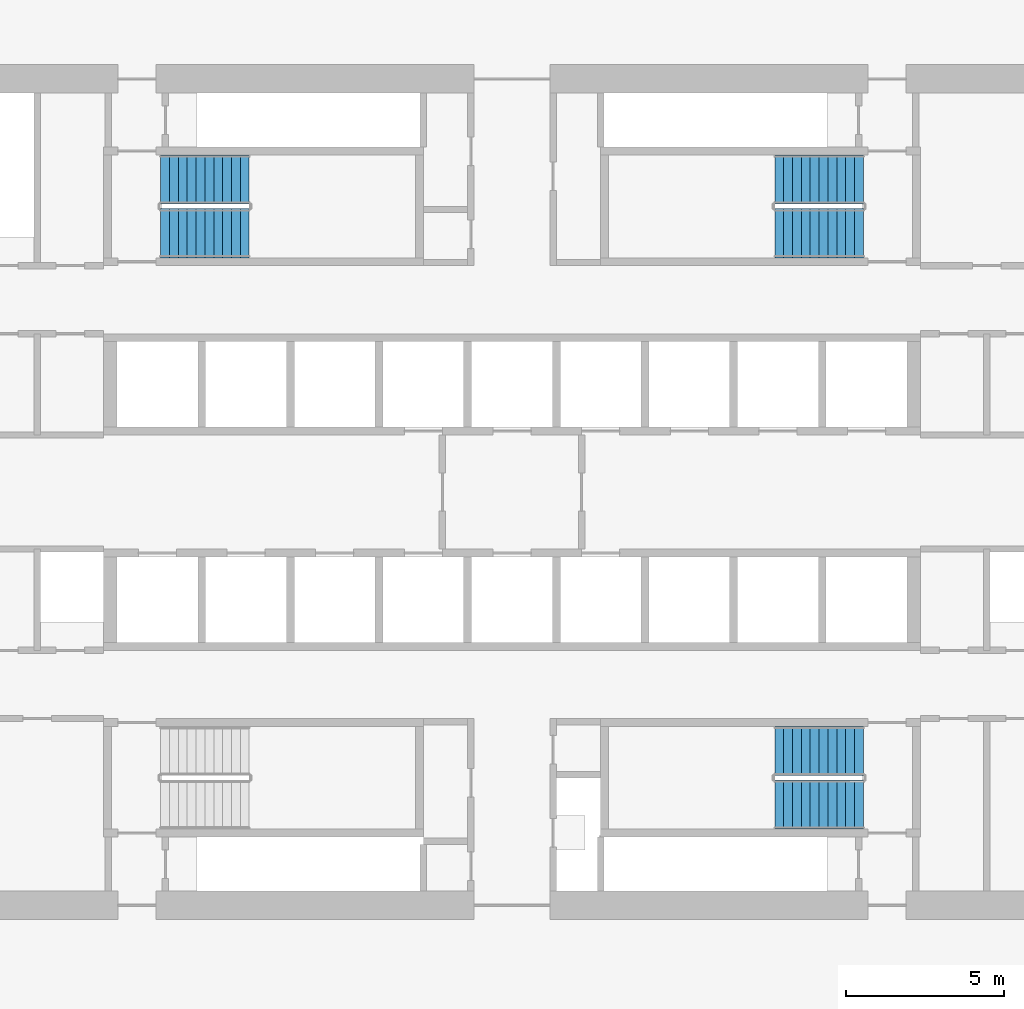
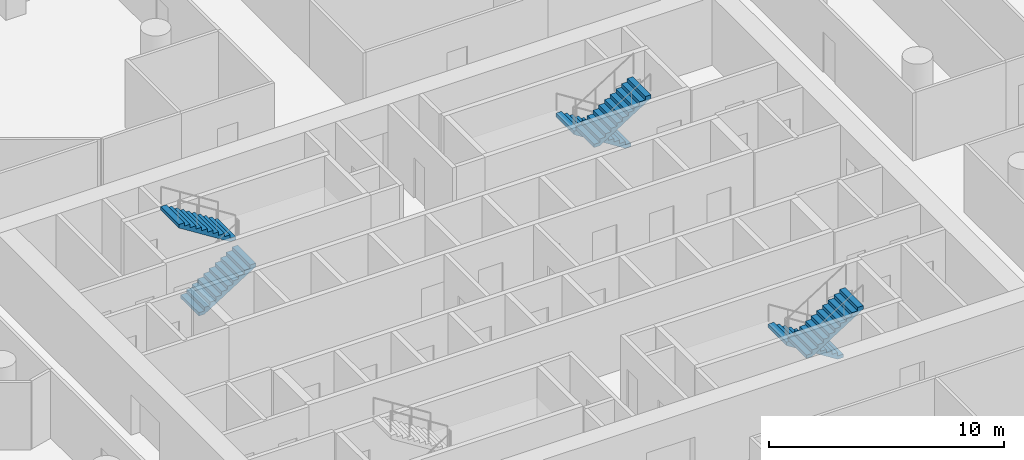
# One storey, part 9 of 10: 6 stair flights, 3 elements without a shape of their own.
"""IFC4 building model written with IfcOpenShell, lengths in metres."""

import ifcopenshell
import ifcopenshell.guid

model = None  # the IFC model being written
_history = None  # IfcOwnerHistory: only IFC2X3 demands one
_inside = {}  # id of a spatial element -> (the spatial element, [elements in it])
_under = {}  # id of a project, library or spatial element -> (it, [spatial elements below it])
_declared = {}  # id of a project -> (the project, [libraries it declares])
_typed = {}  # id of a type object -> (the type object, [elements of that type])
_made_of = {}  # id of a material, layer set ... -> (it, [elements and type objects made of it])


def new_model(schema):
    """Start an empty IFC model of exactly this schema.

    Asked for "IFC4X3", IfcOpenShell would pick the latest addendum, in which some entities
    have other attributes; the version numbers below select the first issue.
    IFC2X3 requires an IfcOwnerHistory on every rooted entity: one is made here for all.
    """
    global model, _history
    if schema == "IFC4X3":
        model = ifcopenshell.file(schema_version=(4, 3, 0, 0))
    else:
        model = ifcopenshell.file(schema=schema)
    _inside.clear()
    _under.clear()
    _declared.clear()
    _typed.clear()
    _made_of.clear()
    _history = None
    if model.schema == "IFC2X3":
        org = make("IfcOrganization", Name="unknown")
        user = make(
            "IfcPersonAndOrganization",
            ThePerson=make("IfcPerson", FamilyName="unknown"),
            TheOrganization=org,
        )
        app = make(
            "IfcApplication",
            ApplicationDeveloper=org,
            Version="unknown",
            ApplicationFullName="unknown",
            ApplicationIdentifier="unknown",
        )
        _history = make(
            "IfcOwnerHistory",
            OwningUser=user,
            OwningApplication=app,
            ChangeAction="ADDED",
            CreationDate=0,
        )
    return model


def make(cls, **values):
    """One entity of the class cls with the attributes given. An attribute that is None is left unset."""
    return model.create_entity(
        cls, **{name: value for name, value in values.items() if value is not None}
    )


def rooted(cls, **values):
    """An entity with a GlobalId (a new one), such as an element, a storey or a relation."""
    return make(cls, GlobalId=ifcopenshell.guid.new(), OwnerHistory=_history, **values)


def si_unit(unit_type, name, prefix=None):
    """IfcSIUnit, for example si_unit("LENGTHUNIT", "METRE", prefix="MILLI")."""
    return make("IfcSIUnit", UnitType=unit_type, Prefix=prefix, Name=name)


def assignment(units):
    """IfcUnitAssignment: the units of a project."""
    return None if units is None else make("IfcUnitAssignment", Units=units)


def point(xyz):
    """IfcCartesianPoint."""
    return None if xyz is None else make("IfcCartesianPoint", Coordinates=xyz)


def direction(xyz):
    """IfcDirection."""
    return None if xyz is None else make("IfcDirection", DirectionRatios=xyz)


def frame(location, z_axis=None, x_axis=None):
    """IfcAxis2Placement3D, a coordinate frame: its origin and axes. An axis left out is left unset."""
    return make(
        "IfcAxis2Placement3D",
        Location=point(location),
        Axis=direction(z_axis),
        RefDirection=direction(x_axis),
    )


def origin():
    """The frame at (0, 0, 0) with its axes left unset."""
    return frame((0.0, 0.0, 0.0))


def place(relative_to, where):
    """IfcLocalPlacement: puts the frame where relative to a parent placement (None: the world)."""
    return make(
        "IfcLocalPlacement", PlacementRelTo=relative_to, RelativePlacement=where
    )


def context(
    kind, dimensions, precision=None, world=None, true_north=None, identifier=None
):
    """IfcGeometricRepresentationContext, for example the 3D "Model" context."""
    return make(
        "IfcGeometricRepresentationContext",
        ContextIdentifier=identifier,
        ContextType=kind,
        CoordinateSpaceDimension=dimensions,
        Precision=precision,
        WorldCoordinateSystem=world,
        TrueNorth=true_north,
    )


def subcontext(parent, identifier, kind, view, scale=None):
    """IfcGeometricRepresentationSubContext, for example "Body" below "Model"."""
    return make(
        "IfcGeometricRepresentationSubContext",
        ContextIdentifier=identifier,
        ContextType=kind,
        ParentContext=parent,
        TargetScale=scale,
        TargetView=view,
    )


def project(units=None, contexts=None):
    """IfcProject with its units and contexts."""
    return rooted(
        "IfcProject",
        Name="project",
        RepresentationContexts=contexts,
        UnitsInContext=assignment(units),
    )


def spatial(cls, under=None, at=None, **own):
    """A site, building, storey or space (cls), placed at a placement, below another one or the project."""
    s = rooted(cls, ObjectPlacement=at, **own)
    if under is not None:
        _under.setdefault(under.id(), (under, []))[1].append(s)
    return s


def polyline(points):
    """IfcPolyline through the points."""
    return make("IfcPolyline", Points=[point(p) for p in points])


def outline(outer, holes=None, kind="AREA"):
    """IfcArbitraryClosedProfileDef: a profile drawn as a closed curve; with holes, ...WithVoids."""
    if holes is None:
        return make("IfcArbitraryClosedProfileDef", ProfileType=kind, OuterCurve=outer)
    return make(
        "IfcArbitraryProfileDefWithVoids",
        ProfileType=kind,
        OuterCurve=outer,
        InnerCurves=holes,
    )


def extrude(swept, where, along, depth):
    """IfcExtrudedAreaSolid: the profile swept, set in the frame where, extruded along a direction by depth."""
    return make(
        "IfcExtrudedAreaSolid",
        SweptArea=swept,
        Position=where,
        ExtrudedDirection=direction(along),
        Depth=depth,
    )


def shape(context_of_items, identifier, shape_type, items):
    """IfcShapeRepresentation: the items that make up one representation, for example the "Body"."""
    return make(
        "IfcShapeRepresentation",
        ContextOfItems=context_of_items,
        RepresentationIdentifier=identifier,
        RepresentationType=shape_type,
        Items=items,
    )


def material(Name=None, Category=None):
    """IfcMaterial."""
    return make("IfcMaterial", Name=Name, Category=Category)


def made_of(thing, what):
    """Note that an element or type object is made of a material, layer set ...; save() writes the relation."""
    if what is not None:
        _made_of.setdefault(what.id(), (what, []))[1].append(thing)
    return thing


def type_object(cls, material=None, **own):
    """A type object (cls), such as IfcWallType, which elements share."""
    return made_of(rooted(cls, **own), material)


def element(
    cls,
    number,
    at=None,
    inside=None,
    cuts=None,
    type_object=None,
    material=None,
    context=None,
    identifier="Body",
    shape_type=None,
    held_by="IfcProductDefinitionShape",
    body=None,
    shapes=None,
    **own,
):
    """One element of the class cls, such as IfcWall. Its Tag is "e" and its number.

    at: its placement. inside: the storey or other place that contains it. cuts: it is an
    opening in that element (IfcRelVoidsElement). A single representation is given by context,
    identifier, shape_type and body (its items); several are given by shapes. held_by: the class
    of the entity that holds the representations. save() writes the other relations.
    """
    e = rooted(cls, Tag="e%d" % number, ObjectPlacement=at, **own)
    if body is not None:
        shapes = [shape(context, identifier, shape_type, body)]
    if shapes is not None:
        e.Representation = make(held_by, Representations=shapes)
    if inside is not None:
        _inside.setdefault(inside.id(), (inside, []))[1].append(e)
    if cuts is not None:
        rooted(
            "IfcRelVoidsElement", RelatingBuildingElement=cuts, RelatedOpeningElement=e
        )
    if type_object is not None:
        _typed.setdefault(type_object.id(), (type_object, []))[1].append(e)
    return made_of(e, material)


def aggregate(whole, parts):
    """IfcRelAggregates: a whole, such as a stair, and the parts it consists of."""
    return rooted("IfcRelAggregates", RelatingObject=whole, RelatedObjects=parts)


def save(model, path):
    """Write the relations noted so far, then the file.

    IfcRelAggregates (storeys below a building ...), IfcRelContainedInSpatialStructure (elements
    in a storey), IfcRelDefinesByType, IfcRelAssociatesMaterial and IfcRelDeclares: one each for
    every whole, place, type object, material and project.
    """
    for whole, parts in _under.values():
        aggregate(whole, parts)
    for where, things in _inside.values():
        rooted(
            "IfcRelContainedInSpatialStructure",
            RelatedElements=things,
            RelatingStructure=where,
        )
    for kind, things in _typed.values():
        rooted("IfcRelDefinesByType", RelatedObjects=things, RelatingType=kind)
    for what, things in _made_of.values():
        rooted("IfcRelAssociatesMaterial", RelatedObjects=things, RelatingMaterial=what)
    for by, libraries in _declared.values():
        rooted("IfcRelDeclares", RelatingContext=by, RelatedDefinitions=libraries)
    model.write(path)


model = new_model("IFC4")

# Units and contexts
model_context = context("Model", 3, precision=1e-05, world=origin(), true_north=direction((0.0, 1.0)))
body_context = subcontext(model_context, "Body", "Model", "MODEL_VIEW")
ifc_project = project(units=[si_unit("LENGTHUNIT", "METRE"), si_unit("AREAUNIT", "SQUARE_METRE"), si_unit("VOLUMEUNIT", "CUBIC_METRE"), si_unit("PLANEANGLEUNIT", "RADIAN"), si_unit("MASSUNIT", "GRAM", prefix="KILO")], contexts=[model_context])

# Site, building, storey
site_placement = place(None, origin())
site = spatial("IfcSite", under=ifc_project, at=site_placement, CompositionType="ELEMENT")
building_placement = place(site_placement, origin())
building = spatial("IfcBuilding", under=site, at=building_placement, Name="Dhurran Vertical Campus", CompositionType="ELEMENT")
storey_placement = place(building_placement, frame((0.0, 0.0, 89.10009765625)))
storey = spatial("IfcBuildingStorey", under=building, at=storey_placement, Name="L21", CompositionType="ELEMENT", Elevation=89.10009765625)

# Stair, stair flights
ifc_material_1 = material(Name="Concrete C40/50", Category="concrete")
stair_type = type_object("IfcStairType", Name="co-ST-CORE", PredefinedType="HALF_TURN_STAIR", material=ifc_material_1)
stair_1_placement = place(storey_placement, origin())
stair_1 = element("IfcStair", 1, at=stair_1_placement, inside=storey, type_object=stair_type, Name="L21 Protected exit stair ST1", PredefinedType="HALF_TURN_STAIR")
ifc_material_2 = material(Name="Concrete C40/50", Category="concrete")
stair_flight_type = type_object("IfcStairFlightType", Name="co-SFL-RC", PredefinedType="STRAIGHT", material=ifc_material_2)
stair_flight_1_placement = place(storey_placement, frame((-11.10009765625, 8.175048828125, 0.0), z_axis=(0.0, 0.0, 1.0), x_axis=(1.0, 0.0, 0.0)))
stair_flight_1 = element("IfcStairFlight", 2, at=stair_flight_1_placement, type_object=stair_flight_type, Name="ST1 flight 1", NumberOfRisers=11, NumberOfTreads=10, PredefinedType="STRAIGHT", RiserHeight=0.177272727, TreadLength=0.28, context=body_context, shape_type="SweptSolid", body=[
    extrude(outline(polyline([(0.0, 0.0), (0.0, 0.17724609375), (0.280029296875, 0.17724609375), (0.280029296875, 0.3544921875), (0.56005859375, 0.3544921875), (0.56005859375, 0.53173828125), (0.840087890625, 0.53173828125), (0.840087890625, 0.708984375), (1.1201171875, 0.708984375), (1.1201171875, 0.886474609375), (1.39990234375, 0.886474609375), (1.39990234375, 1.063720703125), (1.679931640625, 1.063720703125), (1.679931640625, 1.240966796875), (1.9599609375, 1.240966796875), (1.9599609375, 1.418212890625), (2.239990234375, 1.418212890625), (2.239990234375, 1.595458984375), (2.52001953125, 1.595458984375), (2.52001953125, 1.772705078125), (2.800048828125, 1.772705078125), (2.800048828125, 1.949951171875), (2.800048828125, 1.59521484375), (0.2802734375, 0.0), (0.0, 0.0)])), frame((0.0, 0.77490234375, 0.0), z_axis=(0.0, -1.0, 0.0), x_axis=(1.0, 0.0, 0.0)), (0.0, 0.0, 1.0), 1.550048828125),
])
stair_flight_2_placement = place(storey_placement, frame((-8.300048828125, 9.875, 1.949951171875), z_axis=(0.0, 0.0, 1.0), x_axis=(-1.0, 0.0, 0.0)))
stair_flight_2 = element("IfcStairFlight", 3, at=stair_flight_2_placement, type_object=stair_flight_type, Name="ST1 flight 2", NumberOfRisers=11, NumberOfTreads=10, PredefinedType="STRAIGHT", RiserHeight=0.177272727, TreadLength=0.28, context=body_context, shape_type="SweptSolid", body=[
    extrude(outline(polyline([(0.0, 0.0), (0.0, 0.17724609375), (0.280029296875, 0.17724609375), (0.280029296875, 0.3544921875), (0.56005859375, 0.3544921875), (0.56005859375, 0.53173828125), (0.840087890625, 0.53173828125), (0.840087890625, 0.708984375), (1.1201171875, 0.708984375), (1.1201171875, 0.886474609375), (1.39990234375, 0.886474609375), (1.39990234375, 1.063720703125), (1.679931640625, 1.063720703125), (1.679931640625, 1.240966796875), (1.9599609375, 1.240966796875), (1.9599609375, 1.418212890625), (2.239990234375, 1.418212890625), (2.239990234375, 1.595458984375), (2.52001953125, 1.595458984375), (2.52001953125, 1.772705078125), (2.800048828125, 1.772705078125), (2.800048828125, 1.949951171875), (2.800048828125, 1.59521484375), (0.2802734375, 0.0), (0.0, 0.0)])), frame((0.0, 0.77490234375, 0.0), z_axis=(0.0, -1.0, 0.0), x_axis=(1.0, 0.0, 0.0)), (0.0, 0.0, 1.0), 1.550048828125),
])
aggregate(stair_1, [stair_flight_1, stair_flight_2])

stair_2_placement = place(storey_placement, origin())
stair_2 = element("IfcStair", 4, at=stair_2_placement, inside=storey, type_object=stair_type, Name="L21 Protected exit stair ST2", PredefinedType="HALF_TURN_STAIR")
stair_flight_3_placement = place(storey_placement, frame((11.10009765625, 9.875, 0.0), z_axis=(0.0, 0.0, 1.0), x_axis=(-1.0, 0.0, 0.0)))
stair_flight_3 = element("IfcStairFlight", 5, at=stair_flight_3_placement, type_object=stair_flight_type, Name="ST2 flight 1", NumberOfRisers=11, NumberOfTreads=10, PredefinedType="STRAIGHT", RiserHeight=0.177272727, TreadLength=0.28, context=body_context, shape_type="SweptSolid", body=[
    extrude(outline(polyline([(0.0, 0.0), (0.0, 0.17724609375), (0.280029296875, 0.17724609375), (0.280029296875, 0.3544921875), (0.56005859375, 0.3544921875), (0.56005859375, 0.53173828125), (0.840087890625, 0.53173828125), (0.840087890625, 0.708984375), (1.1201171875, 0.708984375), (1.1201171875, 0.886474609375), (1.39990234375, 0.886474609375), (1.39990234375, 1.063720703125), (1.679931640625, 1.063720703125), (1.679931640625, 1.240966796875), (1.9599609375, 1.240966796875), (1.9599609375, 1.418212890625), (2.239990234375, 1.418212890625), (2.239990234375, 1.595458984375), (2.52001953125, 1.595458984375), (2.52001953125, 1.772705078125), (2.800048828125, 1.772705078125), (2.800048828125, 1.949951171875), (2.800048828125, 1.59521484375), (0.2802734375, 0.0), (0.0, 0.0)])), frame((0.0, 0.77490234375, 0.0), z_axis=(0.0, -1.0, 0.0), x_axis=(1.0, 0.0, 0.0)), (0.0, 0.0, 1.0), 1.550048828125),
])
stair_flight_4_placement = place(storey_placement, frame((8.300048828125, 8.175048828125, 1.949951171875), z_axis=(0.0, 0.0, 1.0), x_axis=(1.0, 0.0, 0.0)))
stair_flight_4 = element("IfcStairFlight", 6, at=stair_flight_4_placement, type_object=stair_flight_type, Name="ST2 flight 2", NumberOfRisers=11, NumberOfTreads=10, PredefinedType="STRAIGHT", RiserHeight=0.177272727, TreadLength=0.28, context=body_context, shape_type="SweptSolid", body=[
    extrude(outline(polyline([(0.0, 0.0), (0.0, 0.17724609375), (0.280029296875, 0.17724609375), (0.280029296875, 0.3544921875), (0.56005859375, 0.3544921875), (0.56005859375, 0.53173828125), (0.840087890625, 0.53173828125), (0.840087890625, 0.708984375), (1.1201171875, 0.708984375), (1.1201171875, 0.886474609375), (1.39990234375, 0.886474609375), (1.39990234375, 1.063720703125), (1.679931640625, 1.063720703125), (1.679931640625, 1.240966796875), (1.9599609375, 1.240966796875), (1.9599609375, 1.418212890625), (2.239990234375, 1.418212890625), (2.239990234375, 1.595458984375), (2.52001953125, 1.595458984375), (2.52001953125, 1.772705078125), (2.800048828125, 1.772705078125), (2.800048828125, 1.949951171875), (2.800048828125, 1.59521484375), (0.2802734375, 0.0), (0.0, 0.0)])), frame((0.0, 0.77490234375, 0.0), z_axis=(0.0, -1.0, 0.0), x_axis=(1.0, 0.0, 0.0)), (0.0, 0.0, 1.0), 1.550048828125),
])
aggregate(stair_2, [stair_flight_3, stair_flight_4])

stair_3_placement = place(storey_placement, origin())
stair_3 = element("IfcStair", 7, at=stair_3_placement, inside=storey, type_object=stair_type, Name="L21 Protected exit stair ST4", PredefinedType="HALF_TURN_STAIR")
stair_flight_5_placement = place(storey_placement, frame((11.10009765625, -8.175048828125, 0.0), z_axis=(0.0, 0.0, 1.0), x_axis=(-1.0, 0.0, 0.0)))
stair_flight_5 = element("IfcStairFlight", 8, at=stair_flight_5_placement, type_object=stair_flight_type, Name="ST4 flight 1", NumberOfRisers=11, NumberOfTreads=10, PredefinedType="STRAIGHT", RiserHeight=0.177272727, TreadLength=0.28, context=body_context, shape_type="SweptSolid", body=[
    extrude(outline(polyline([(0.0, 0.0), (0.0, 0.17724609375), (0.280029296875, 0.17724609375), (0.280029296875, 0.3544921875), (0.56005859375, 0.3544921875), (0.56005859375, 0.53173828125), (0.840087890625, 0.53173828125), (0.840087890625, 0.708984375), (1.1201171875, 0.708984375), (1.1201171875, 0.886474609375), (1.39990234375, 0.886474609375), (1.39990234375, 1.063720703125), (1.679931640625, 1.063720703125), (1.679931640625, 1.240966796875), (1.9599609375, 1.240966796875), (1.9599609375, 1.418212890625), (2.239990234375, 1.418212890625), (2.239990234375, 1.595458984375), (2.52001953125, 1.595458984375), (2.52001953125, 1.772705078125), (2.800048828125, 1.772705078125), (2.800048828125, 1.949951171875), (2.800048828125, 1.59521484375), (0.2802734375, 0.0), (0.0, 0.0)])), frame((0.0, 0.77490234375, 0.0), z_axis=(0.0, -1.0, 0.0), x_axis=(1.0, 0.0, 0.0)), (0.0, 0.0, 1.0), 1.550048828125),
])
stair_flight_6_placement = place(storey_placement, frame((8.300048828125, -9.875, 1.949951171875), z_axis=(0.0, 0.0, 1.0), x_axis=(1.0, 0.0, 0.0)))
stair_flight_6 = element("IfcStairFlight", 9, at=stair_flight_6_placement, type_object=stair_flight_type, Name="ST4 flight 2", NumberOfRisers=11, NumberOfTreads=10, PredefinedType="STRAIGHT", RiserHeight=0.177272727, TreadLength=0.28, context=body_context, shape_type="SweptSolid", body=[
    extrude(outline(polyline([(0.0, 0.0), (0.0, 0.17724609375), (0.280029296875, 0.17724609375), (0.280029296875, 0.3544921875), (0.56005859375, 0.3544921875), (0.56005859375, 0.53173828125), (0.840087890625, 0.53173828125), (0.840087890625, 0.708984375), (1.1201171875, 0.708984375), (1.1201171875, 0.886474609375), (1.39990234375, 0.886474609375), (1.39990234375, 1.063720703125), (1.679931640625, 1.063720703125), (1.679931640625, 1.240966796875), (1.9599609375, 1.240966796875), (1.9599609375, 1.418212890625), (2.239990234375, 1.418212890625), (2.239990234375, 1.595458984375), (2.52001953125, 1.595458984375), (2.52001953125, 1.772705078125), (2.800048828125, 1.772705078125), (2.800048828125, 1.949951171875), (2.800048828125, 1.59521484375), (0.2802734375, 0.0), (0.0, 0.0)])), frame((0.0, 0.77490234375, 0.0), z_axis=(0.0, -1.0, 0.0), x_axis=(1.0, 0.0, 0.0)), (0.0, 0.0, 1.0), 1.550048828125),
])
aggregate(stair_3, [stair_flight_5, stair_flight_6])

save(model, "model.ifc")
